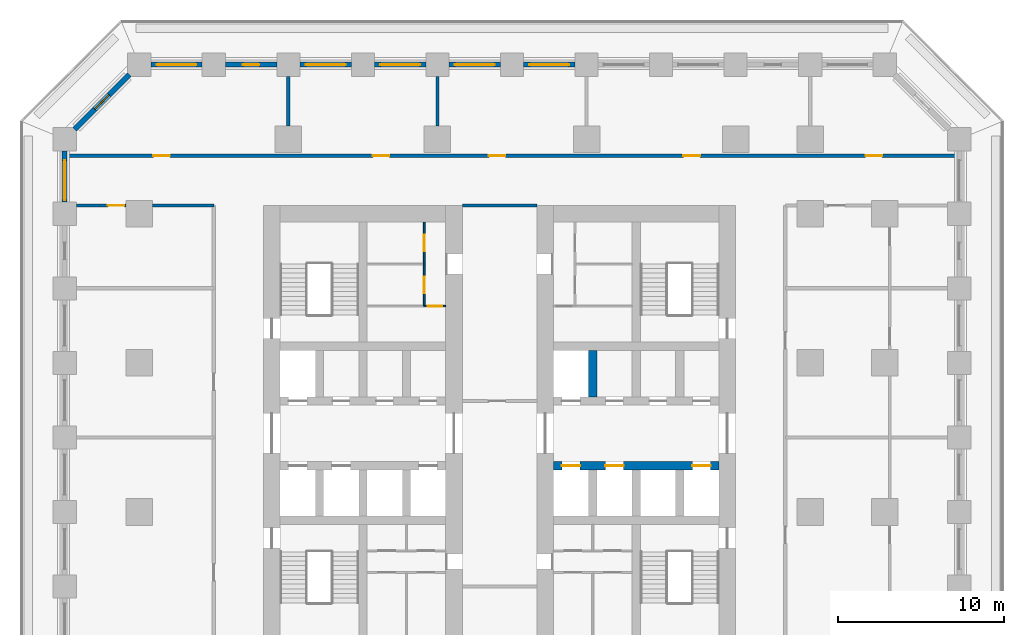
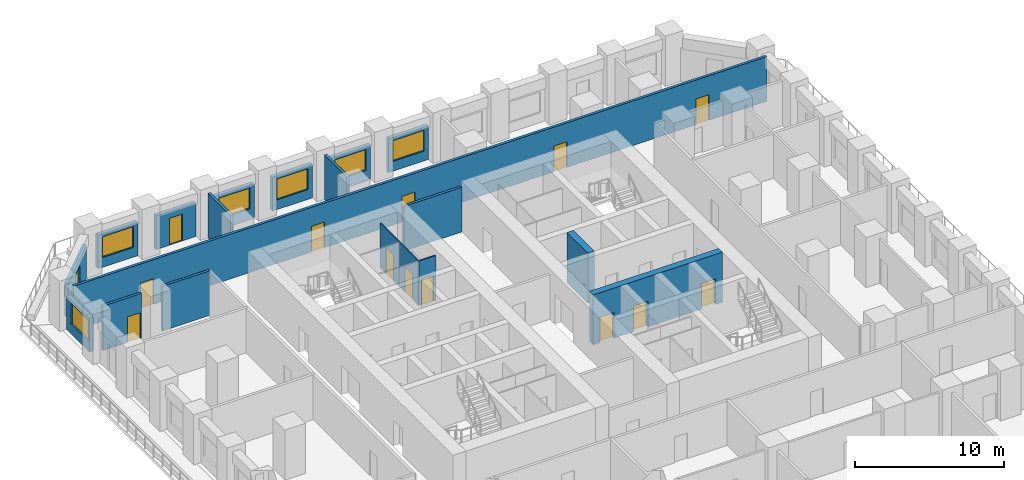
# One storey, part 6 of 11: 19 walls, 14 doors, 6 windows, 20 openings.
"""IFC4 building model written with IfcOpenShell, lengths in metres."""

from ifc_helpers import new_model, si_unit, direction, frame, frame_2d, origin, place, context, subcontext, project, spatial, rectangle, extrude, material, layer, layer_set, type_object, element, fill, save


model = new_model("IFC4")

# Units and contexts
model_context = context("Model", 3, precision=1e-05, world=origin(), true_north=direction((0.0, 1.0)))
body_context = subcontext(model_context, "Body", "Model", "MODEL_VIEW")
ifc_project = project(units=[si_unit("LENGTHUNIT", "METRE"), si_unit("AREAUNIT", "SQUARE_METRE"), si_unit("VOLUMEUNIT", "CUBIC_METRE"), si_unit("PLANEANGLEUNIT", "RADIAN"), si_unit("MASSUNIT", "GRAM", prefix="KILO")], contexts=[model_context])

# Site, building, storey
site_placement = place(None, origin())
site = spatial("IfcSite", under=ifc_project, at=site_placement, CompositionType="ELEMENT")
building_placement = place(site_placement, origin())
building = spatial("IfcBuilding", under=site, at=building_placement, Name="Corbel Stack Research Tower", CompositionType="ELEMENT")
storey_placement = place(building_placement, frame((0.0, 0.0, 62.39990234375)))
storey = spatial("IfcBuildingStorey", under=building, at=storey_placement, Name="L14", CompositionType="ELEMENT", Elevation=62.39990234375)

# Wall, openings, doors
ifc_material_1 = material(Name="Concrete C70/85", Category="concrete")
ifc_layer_1 = layer(ifc_material_1, 0.5)
ifc_layer_set_1 = layer_set([ifc_layer_1], Name="Concrete C70/85")
wall_type_1 = type_object("IfcWallType", Name="CW-500-70", PredefinedType="SHEAR", material=ifc_layer_set_1)
wall_1_placement = place(storey_placement, frame((7.0, 2.800048828125, 0.0), z_axis=(0.0, 0.0, 1.0), x_axis=(1.0, 0.0, 0.0)))
wall_1 = element("IfcWall", 1, at=wall_1_placement, inside=storey, type_object=wall_type_1, Name="East core wall, lobby south L14", PredefinedType="SHEAR", context=body_context, shape_type="SweptSolid", body=[
    extrude(rectangle(XDim=10.0, YDim=0.5, at=frame_2d((5.0, 0.0))), origin(), (0.0, 0.0, 1.0), 4.10009765625),
])
opening_1_placement = place(wall_1_placement, frame((0.512451171875, 0.0, 0.0)))
opening_1 = element("IfcOpeningElement", 2, at=opening_1_placement, cuts=wall_1, Name="Opening LD-FS2", PredefinedType="OPENING", context=body_context, shape_type="SweptSolid", body=[
    extrude(rectangle(XDim=1.10009765625, YDim=2.10009765625, at=frame_2d((0.550048828125, 1.050048828125))), frame((0.0, 0.260009765625, 0.0), z_axis=(0.0, -1.0, 0.0), x_axis=(1.0, 0.0, 0.0)), (0.0, 0.0, 1.0), 0.52001953125),
])
opening_2_placement = place(wall_1_placement, frame((3.137451171875, 0.0, 0.0)))
opening_2 = element("IfcOpeningElement", 3, at=opening_2_placement, cuts=wall_1, Name="Opening LD-GL2", PredefinedType="OPENING", context=body_context, shape_type="SweptSolid", body=[
    extrude(rectangle(XDim=1.10009765625, YDim=2.10009765625, at=frame_2d((0.550048828125, 1.050048828125))), frame((0.0, 0.260009765625, 0.0), z_axis=(0.0, -1.0, 0.0), x_axis=(1.0, 0.0, 0.0)), (0.0, 0.0, 1.0), 0.52001953125),
])
opening_3_placement = place(wall_1_placement, frame((8.387451171875, 0.0, 0.0)))
opening_3 = element("IfcOpeningElement", 4, at=opening_3_placement, cuts=wall_1, Name="Opening LD-LR3", PredefinedType="OPENING", context=body_context, shape_type="SweptSolid", body=[
    extrude(rectangle(XDim=1.10009765625, YDim=2.10009765625, at=frame_2d((0.550048828125, 1.050048828125))), frame((0.0, 0.260009765625, 0.0), z_axis=(0.0, -1.0, 0.0), x_axis=(1.0, 0.0, 0.0)), (0.0, 0.0, 1.0), 0.52001953125),
])
ifc_material_2 = material(Name="Stainless steel landing door", Category="steel")
door_type_1 = type_object("IfcDoorType", Name="Lift landing door 1100 x 2100", OperationType="DOUBLE_DOOR_SLIDING", PredefinedType="DOOR", material=ifc_material_2)
door_1_placement = place(opening_1_placement, origin())
door_1 = element("IfcDoor", 5, at=door_1_placement, inside=storey, type_object=door_type_1, Name="Landing door FS2", OperationType="DOUBLE_DOOR_SLIDING", OverallHeight=2.10009765625, OverallWidth=1.10009765625, PredefinedType="DOOR", context=body_context, shape_type="SweptSolid", body=[
    extrude(rectangle(XDim=1.10009765625, YDim=2.10009765625, at=frame_2d((0.550048828125, 1.050048828125))), frame((0.0, 0.02490234375, 0.0), z_axis=(0.0, -1.0, 0.0), x_axis=(1.0, 0.0, 0.0)), (0.0, 0.0, 1.0), 0.050048828125),
])
fill(opening_1, door_1)
door_2_placement = place(opening_2_placement, origin())
door_2 = element("IfcDoor", 6, at=door_2_placement, inside=storey, type_object=door_type_1, Name="Landing door GL2", OperationType="DOUBLE_DOOR_SLIDING", OverallHeight=2.10009765625, OverallWidth=1.10009765625, PredefinedType="DOOR", context=body_context, shape_type="SweptSolid", body=[
    extrude(rectangle(XDim=1.10009765625, YDim=2.10009765625, at=frame_2d((0.550048828125, 1.050048828125))), frame((0.0, 0.02490234375, 0.0), z_axis=(0.0, -1.0, 0.0), x_axis=(1.0, 0.0, 0.0)), (0.0, 0.0, 1.0), 0.050048828125),
])
fill(opening_2, door_2)
door_3_placement = place(opening_3_placement, origin())
door_3 = element("IfcDoor", 7, at=door_3_placement, inside=storey, type_object=door_type_1, Name="Landing door LR3", OperationType="DOUBLE_DOOR_SLIDING", OverallHeight=2.10009765625, OverallWidth=1.10009765625, PredefinedType="DOOR", context=body_context, shape_type="SweptSolid", body=[
    extrude(rectangle(XDim=1.10009765625, YDim=2.10009765625, at=frame_2d((0.550048828125, 1.050048828125))), frame((0.0, 0.02490234375, 0.0), z_axis=(0.0, -1.0, 0.0), x_axis=(1.0, 0.0, 0.0)), (0.0, 0.0, 1.0), 0.050048828125),
])
fill(opening_3, door_3)

# Wall
wall_2_placement = place(storey_placement, frame((9.375, 6.949951171875, 0.0), z_axis=(0.0, 0.0, 1.0), x_axis=(0.0, 1.0, 0.0)))
element("IfcWall", 8, at=wall_2_placement, inside=storey, type_object=wall_type_1, Name="East core wall, north shaft 1 L14", PredefinedType="SHEAR", context=body_context, shape_type="SweptSolid", body=[
    extrude(rectangle(XDim=2.800048828125, YDim=0.5, at=frame_2d((1.39990234375, 0.0))), origin(), (0.0, 0.0, 1.0), 4.10009765625),
])

# Wall, opening, door
ifc_material_3 = material(Name="Gypsum board")
ifc_layer_2 = layer(ifc_material_3, 0.10009765625)
ifc_layer_set_2 = layer_set([ifc_layer_2], Name="Gypsum board")
wall_type_2 = type_object("IfcWallType", Name="Core partition 100", PredefinedType="PARTITIONING", material=ifc_layer_set_2)
wall_3_placement = place(storey_placement, frame((-0.800048828125, 12.425048828125, 0.0), z_axis=(0.0, 0.0, 1.0), x_axis=(1.0, 0.0, 0.0)))
wall_3 = element("IfcWall", 9, at=wall_3_placement, inside=storey, type_object=wall_type_2, Name="Core partition W", PredefinedType="PARTITIONING", context=body_context, shape_type="SweptSolid", body=[
    extrude(rectangle(XDim=1.300048828125, YDim=0.10009765625, at=frame_2d((0.64990234375, 0.0))), origin(), (0.0, 0.0, 1.0), 3.650146484375),
])
opening_4_placement = place(wall_3_placement, frame((0.199951171875, 0.0, 0.0)))
opening_4 = element("IfcOpeningElement", 10, at=opening_4_placement, cuts=wall_3, Name="Opening CR-W54-R1-900", PredefinedType="OPENING", context=body_context, shape_type="SweptSolid", body=[
    extrude(rectangle(XDim=0.89990234375, YDim=2.10009765625, at=frame_2d((0.449951171875, 1.050048828125))), frame((0.0, 0.06005859375, 0.0), z_axis=(0.0, -1.0, 0.0), x_axis=(1.0, 0.0, 0.0)), (0.0, 0.0, 1.0), 0.1201171875),
])
ifc_material_4 = material(Name="Painted steel door", Category="steel")
door_type_2 = type_object("IfcDoorType", Name="Riser door 900 x 2100 FD60 left hand", OperationType="SINGLE_SWING_LEFT", PredefinedType="DOOR", material=ifc_material_4)
door_4_placement = place(opening_4_placement, origin())
door_4 = element("IfcDoor", 11, at=door_4_placement, inside=storey, type_object=door_type_2, Name="Electrical riser door W core", OperationType="SINGLE_SWING_LEFT", OverallHeight=2.10009765625, OverallWidth=0.89990234375, PredefinedType="DOOR", context=body_context, shape_type="SweptSolid", body=[
    extrude(rectangle(XDim=0.89990234375, YDim=2.10009765625, at=frame_2d((0.449951171875, 1.050048828125))), frame((0.0, 0.02490234375, 0.0), z_axis=(0.0, -1.0, 0.0), x_axis=(1.0, 0.0, 0.0)), (0.0, 0.0, 1.0), 0.050048828125),
])
fill(opening_4, door_4)

wall_4_placement = place(storey_placement, frame((-0.800048828125, 12.425048828125, 0.0), z_axis=(0.0, 0.0, 1.0), x_axis=(0.0, 1.0, 0.0)))
wall_4 = element("IfcWall", 12, at=wall_4_placement, inside=storey, type_object=wall_type_2, Name="Core partition W", PredefinedType="PARTITIONING", context=body_context, shape_type="SweptSolid", body=[
    extrude(rectangle(XDim=2.537353515625, YDim=0.10009765625, at=frame_2d((1.2685546875, 0.0))), origin(), (0.0, 0.0, 1.0), 3.650146484375),
])
opening_5_placement = place(wall_4_placement, frame((0.768798828125, 0.0, 0.0)))
opening_5 = element("IfcOpeningElement", 13, at=opening_5_placement, cuts=wall_4, Name="Opening CR-W54-R3-1000", PredefinedType="OPENING", context=body_context, shape_type="SweptSolid", body=[
    extrude(rectangle(XDim=1.0, YDim=2.10009765625, at=frame_2d((0.5, 1.050048828125))), frame((0.0, 0.06005859375, 0.0), z_axis=(0.0, -1.0, 0.0), x_axis=(1.0, 0.0, 0.0)), (0.0, 0.0, 1.0), 0.1201171875),
])
ifc_material_5 = material(Name="Painted steel door", Category="steel")
door_type_3 = type_object("IfcDoorType", Name="Service door 1000 x 2100 FD30 left hand", OperationType="SINGLE_SWING_LEFT", PredefinedType="DOOR", material=ifc_material_5)
door_5_placement = place(opening_5_placement, origin())
door_5 = element("IfcDoor", 14, at=door_5_placement, inside=storey, type_object=door_type_3, Name="Pantry door W core", OperationType="SINGLE_SWING_LEFT", OverallHeight=2.10009765625, OverallWidth=1.0, PredefinedType="DOOR", context=body_context, shape_type="SweptSolid", body=[
    extrude(rectangle(XDim=1.0, YDim=2.10009765625, at=frame_2d((0.5, 1.050048828125))), frame((0.0, 0.02490234375, 0.0), z_axis=(0.0, -1.0, 0.0), x_axis=(1.0, 0.0, 0.0)), (0.0, 0.0, 1.0), 0.050048828125),
])
fill(opening_5, door_5)

wall_5_placement = place(storey_placement, frame((-0.800048828125, 14.96240234375, 0.0), z_axis=(0.0, 0.0, 1.0), x_axis=(0.0, 1.0, 0.0)))
wall_5 = element("IfcWall", 15, at=wall_5_placement, inside=storey, type_object=wall_type_2, Name="Core partition W", PredefinedType="PARTITIONING", context=body_context, shape_type="SweptSolid", body=[
    extrude(rectangle(XDim=2.53759765625, YDim=0.10009765625, at=frame_2d((1.268798828125, 0.0))), origin(), (0.0, 0.0, 1.0), 3.650146484375),
])
opening_6_placement = place(wall_5_placement, frame((0.768798828125, 0.0, 0.0)))
opening_6 = element("IfcOpeningElement", 16, at=opening_6_placement, cuts=wall_5, Name="Opening CR-W54-R4-1000", PredefinedType="OPENING", context=body_context, shape_type="SweptSolid", body=[
    extrude(rectangle(XDim=1.0, YDim=2.10009765625, at=frame_2d((0.5, 1.050048828125))), frame((0.0, 0.06005859375, 0.0), z_axis=(0.0, -1.0, 0.0), x_axis=(1.0, 0.0, 0.0)), (0.0, 0.0, 1.0), 0.1201171875),
])
ifc_material_6 = material(Name="Painted steel door", Category="steel")
door_type_4 = type_object("IfcDoorType", Name="Service door 1000 x 2100 FD30 right hand", OperationType="SINGLE_SWING_RIGHT", PredefinedType="DOOR", material=ifc_material_6)
door_6_placement = place(opening_6_placement, origin())
door_6 = element("IfcDoor", 17, at=door_6_placement, inside=storey, type_object=door_type_4, Name="Copy and supply store door W core", OperationType="SINGLE_SWING_RIGHT", OverallHeight=2.10009765625, OverallWidth=1.0, PredefinedType="DOOR", context=body_context, shape_type="SweptSolid", body=[
    extrude(rectangle(XDim=1.0, YDim=2.10009765625, at=frame_2d((0.5, 1.050048828125))), frame((0.0, 0.02490234375, 0.0), z_axis=(0.0, -1.0, 0.0), x_axis=(1.0, 0.0, 0.0)), (0.0, 0.0, 1.0), 0.050048828125),
])
fill(opening_6, door_6)

# Walls
ifc_material_7 = material(Name="Fire-rated gypsum board partition on steel studs", Category="steel")
ifc_layer_3 = layer(ifc_material_7, 0.199951171875)
ifc_layer_set_3 = layer_set([ifc_layer_3], Name="Fire-rated gypsum board partition on steel studs")
wall_type_3 = type_object("IfcWallType", Name="Fire-rated partition 200 EI 60", PredefinedType="PARTITIONING", material=ifc_layer_set_3)
for number, where, z_axis, x_axis, name in (
    (18, (-9.0, 23.300048828125, 0.0), (0.0, 0.0, 1.0), (0.0, 1.0, 0.0), "Partition L14-004"),
    (19, (0.0, 23.300048828125, 0.0), (0.0, 0.0, 1.0), (0.0, 1.0, 0.0), "Partition L14-007"),
):
    element("IfcWall", number, at=place(storey_placement, frame(where, z_axis=z_axis, x_axis=x_axis)), inside=storey, type_object=wall_type_3, Name=name, PredefinedType="PARTITIONING", context=body_context, shape_type="SweptSolid", body=[
        extrude(rectangle(XDim=3.0, YDim=0.199951171875, at=frame_2d((1.5, 0.0))), origin(), (0.0, 0.0, 1.0), 3.650146484375),
    ])

# Wall, opening, door
wall_6_placement = place(storey_placement, frame((-18.800048828125, 18.5, 0.0), z_axis=(0.0, 0.0, 1.0), x_axis=(-1.0, 0.0, 0.0)))
wall_6 = element("IfcWall", 20, at=wall_6_placement, inside=storey, type_object=wall_type_3, Name="Partition L14-039", PredefinedType="PARTITIONING", context=body_context, shape_type="SweptSolid", body=[
    extrude(rectangle(XDim=3.0, YDim=0.199951171875, at=frame_2d((1.5, 0.0))), origin(), (0.0, 0.0, 1.0), 3.650146484375),
])
opening_7_placement = place(wall_6_placement, frame((0.10009765625, 0.0, 0.0)))
opening_7 = element("IfcOpeningElement", 21, at=opening_7_placement, cuts=wall_6, Name="Opening B2V2-015", PredefinedType="OPENING", context=body_context, shape_type="SweptSolid", body=[
    extrude(rectangle(XDim=1.0, YDim=2.10009765625, at=frame_2d((0.5, 1.050048828125))), frame((0.0, 0.10986328125, 0.0), z_axis=(0.0, -1.0, 0.0), x_axis=(1.0, 0.0, 0.0)), (0.0, 0.0, 1.0), 0.219970703125),
])
ifc_material_8 = material(Name="Painted steel fire door", Category="steel")
door_type_5 = type_object("IfcDoorType", Name="Fire door FD30S 1000 x 2100", OperationType="NOTDEFINED", PredefinedType="DOOR", material=ifc_material_8)
door_7_placement = place(opening_7_placement, origin())
door_7 = element("IfcDoor", 22, at=door_7_placement, inside=storey, type_object=door_type_5, Name="Door B2V2-015", OperationType="SINGLE_SWING_LEFT", OverallHeight=2.10009765625, OverallWidth=1.0, PredefinedType="DOOR", context=body_context, shape_type="SweptSolid", body=[
    extrude(rectangle(XDim=1.0, YDim=2.10009765625, at=frame_2d((0.5, 1.050048828125))), frame((0.0, 0.02490234375, 0.0), z_axis=(0.0, -1.0, 0.0), x_axis=(1.0, 0.0, 0.0)), (0.0, 0.0, 1.0), 0.050048828125),
])
fill(opening_7, door_7)

# Walls
wall_7_placement = place(storey_placement, frame((-17.199951171875, 18.5, 0.0), z_axis=(0.0, 0.0, 1.0), x_axis=(1.0, 0.0, 0.0)))
element("IfcWall", 23, at=wall_7_placement, inside=storey, type_object=wall_type_3, Name="Partition L14-040", PredefinedType="PARTITIONING", context=body_context, shape_type="SweptSolid", body=[
    extrude(rectangle(XDim=3.699951171875, YDim=0.199951171875, at=frame_2d((1.85009765625, 0.0))), origin(), (0.0, 0.0, 1.0), 3.650146484375),
])
wall_8_placement = place(storey_placement, frame((1.5, 18.5, 0.0), z_axis=(0.0, 0.0, 1.0), x_axis=(1.0, 0.0, 0.0)))
element("IfcWall", 24, at=wall_8_placement, inside=storey, type_object=wall_type_3, Name="Partition L14-041", PredefinedType="PARTITIONING", context=body_context, shape_type="SweptSolid", body=[
    extrude(rectangle(XDim=4.5, YDim=0.199951171875, at=frame_2d((2.25, 0.0))), origin(), (0.0, 0.0, 1.0), 3.650146484375),
])

# Wall, openings, doors
wall_9_placement = place(storey_placement, frame((-22.35009765625, 21.5, 0.0), z_axis=(0.0, 0.0, 1.0), x_axis=(1.0, 0.0, 0.0)))
wall_9 = element("IfcWall", 25, at=wall_9_placement, inside=storey, type_object=wall_type_3, Name="Partition L14-045", PredefinedType="PARTITIONING", context=body_context, shape_type="SweptSolid", body=[
    extrude(rectangle(XDim=53.7001953125, YDim=0.199951171875, at=frame_2d((26.85009765625, 0.0))), origin(), (0.0, 0.0, 1.0), 3.650146484375),
])
opening_8_placement = place(wall_9_placement, frame((5.199951171875, 0.0, 0.0)))
opening_8 = element("IfcOpeningElement", 26, at=opening_8_placement, cuts=wall_9, Name="Opening B2V2-019", PredefinedType="OPENING", context=body_context, shape_type="SweptSolid", body=[
    extrude(rectangle(XDim=1.0, YDim=2.10009765625, at=frame_2d((0.5, 1.050048828125))), frame((0.0, 0.10986328125, 0.0), z_axis=(0.0, -1.0, 0.0), x_axis=(1.0, 0.0, 0.0)), (0.0, 0.0, 1.0), 0.219970703125),
])
opening_9_placement = place(wall_9_placement, frame((18.449951171875, 0.0, 0.0)))
opening_9 = element("IfcOpeningElement", 27, at=opening_9_placement, cuts=wall_9, Name="Opening B2V2-020", PredefinedType="OPENING", context=body_context, shape_type="SweptSolid", body=[
    extrude(rectangle(XDim=1.0, YDim=2.10009765625, at=frame_2d((0.5, 1.050048828125))), frame((0.0, 0.10986328125, 0.0), z_axis=(0.0, -1.0, 0.0), x_axis=(1.0, 0.0, 0.0)), (0.0, 0.0, 1.0), 0.219970703125),
])
opening_10_placement = place(wall_9_placement, frame((25.449951171875, 0.0, 0.0)))
opening_10 = element("IfcOpeningElement", 28, at=opening_10_placement, cuts=wall_9, Name="Opening B2V2-021", PredefinedType="OPENING", context=body_context, shape_type="SweptSolid", body=[
    extrude(rectangle(XDim=1.0, YDim=2.10009765625, at=frame_2d((0.5, 1.050048828125))), frame((0.0, 0.10986328125, 0.0), z_axis=(0.0, -1.0, 0.0), x_axis=(1.0, 0.0, 0.0)), (0.0, 0.0, 1.0), 0.219970703125),
])
opening_11_placement = place(wall_9_placement, frame((37.199951171875, 0.0, 0.0)))
opening_11 = element("IfcOpeningElement", 29, at=opening_11_placement, cuts=wall_9, Name="Opening B2V2-022", PredefinedType="OPENING", context=body_context, shape_type="SweptSolid", body=[
    extrude(rectangle(XDim=1.0, YDim=2.10009765625, at=frame_2d((0.5, 1.050048828125))), frame((0.0, 0.10986328125, 0.0), z_axis=(0.0, -1.0, 0.0), x_axis=(1.0, 0.0, 0.0)), (0.0, 0.0, 1.0), 0.219970703125),
])
opening_12_placement = place(wall_9_placement, frame((48.199951171875, 0.0, 0.0)))
opening_12 = element("IfcOpeningElement", 30, at=opening_12_placement, cuts=wall_9, Name="Opening B2V2-023", PredefinedType="OPENING", context=body_context, shape_type="SweptSolid", body=[
    extrude(rectangle(XDim=1.0, YDim=2.10009765625, at=frame_2d((0.5, 1.050048828125))), frame((0.0, 0.10986328125, 0.0), z_axis=(0.0, -1.0, 0.0), x_axis=(1.0, 0.0, 0.0)), (0.0, 0.0, 1.0), 0.219970703125),
])
door_8_placement = place(opening_8_placement, origin())
door_8 = element("IfcDoor", 31, at=door_8_placement, inside=storey, type_object=door_type_5, Name="Door B2V2-019", OperationType="SINGLE_SWING_LEFT", OverallHeight=2.10009765625, OverallWidth=1.0, PredefinedType="DOOR", context=body_context, shape_type="SweptSolid", body=[
    extrude(rectangle(XDim=1.0, YDim=2.10009765625, at=frame_2d((0.5, 1.050048828125))), frame((0.0, 0.02490234375, 0.0), z_axis=(0.0, -1.0, 0.0), x_axis=(1.0, 0.0, 0.0)), (0.0, 0.0, 1.0), 0.050048828125),
])
fill(opening_8, door_8)
door_9_placement = place(opening_9_placement, origin())
door_9 = element("IfcDoor", 32, at=door_9_placement, inside=storey, type_object=door_type_5, Name="Door B2V2-020", OperationType="SINGLE_SWING_LEFT", OverallHeight=2.10009765625, OverallWidth=1.0, PredefinedType="DOOR", context=body_context, shape_type="SweptSolid", body=[
    extrude(rectangle(XDim=1.0, YDim=2.10009765625, at=frame_2d((0.5, 1.050048828125))), frame((0.0, 0.02490234375, 0.0), z_axis=(0.0, -1.0, 0.0), x_axis=(1.0, 0.0, 0.0)), (0.0, 0.0, 1.0), 0.050048828125),
])
fill(opening_9, door_9)
door_10_placement = place(opening_10_placement, origin())
door_10 = element("IfcDoor", 33, at=door_10_placement, inside=storey, type_object=door_type_5, Name="Door B2V2-021", OperationType="SINGLE_SWING_LEFT", OverallHeight=2.10009765625, OverallWidth=1.0, PredefinedType="DOOR", context=body_context, shape_type="SweptSolid", body=[
    extrude(rectangle(XDim=1.0, YDim=2.10009765625, at=frame_2d((0.5, 1.050048828125))), frame((0.0, 0.02490234375, 0.0), z_axis=(0.0, -1.0, 0.0), x_axis=(1.0, 0.0, 0.0)), (0.0, 0.0, 1.0), 0.050048828125),
])
fill(opening_10, door_10)
door_11_placement = place(opening_11_placement, origin())
door_11 = element("IfcDoor", 34, at=door_11_placement, inside=storey, type_object=door_type_5, Name="Door B2V2-022", OperationType="SINGLE_SWING_RIGHT", OverallHeight=2.10009765625, OverallWidth=1.0, PredefinedType="DOOR", context=body_context, shape_type="SweptSolid", body=[
    extrude(rectangle(XDim=1.0, YDim=2.10009765625, at=frame_2d((0.5, 1.050048828125))), frame((0.0, 0.02490234375, 0.0), z_axis=(0.0, -1.0, 0.0), x_axis=(1.0, 0.0, 0.0)), (0.0, 0.0, 1.0), 0.050048828125),
])
fill(opening_11, door_11)
door_12_placement = place(opening_12_placement, origin())
door_12 = element("IfcDoor", 35, at=door_12_placement, inside=storey, type_object=door_type_5, Name="Door B2V2-023", OperationType="SINGLE_SWING_RIGHT", OverallHeight=2.10009765625, OverallWidth=1.0, PredefinedType="DOOR", context=body_context, shape_type="SweptSolid", body=[
    extrude(rectangle(XDim=1.0, YDim=2.10009765625, at=frame_2d((0.5, 1.050048828125))), frame((0.0, 0.02490234375, 0.0), z_axis=(0.0, -1.0, 0.0), x_axis=(1.0, 0.0, 0.0)), (0.0, 0.0, 1.0), 0.050048828125),
])
fill(opening_12, door_12)

# Wall, opening, window
ifc_material_9 = material(Name="Concrete C45/55", Category="concrete")
ifc_layer_4 = layer(ifc_material_9, 0.300048828125)
ifc_layer_set_4 = layer_set([ifc_layer_4], Name="Concrete C45/55")
wall_type_4 = type_object("IfcWallType", Name="Terracotta-faced concrete wall 300", PredefinedType="SOLIDWALL", material=ifc_layer_set_4)
wall_10_placement = place(storey_placement, frame((5.199951171875, 27.0, 0.0), z_axis=(0.0, 0.0, 1.0), x_axis=(1.0, 0.0, 0.0)))
wall_10 = element("IfcWall", 36, at=wall_10_placement, inside=storey, type_object=wall_type_4, Name="Facade wall L14 N05", PredefinedType="SOLIDWALL", context=body_context, shape_type="SweptSolid", body=[
    extrude(rectangle(XDim=3.10009765625, YDim=0.300048828125, at=frame_2d((1.550048828125, 0.0))), origin(), (0.0, 0.0, 1.0), 2.75),
])
opening_13_placement = place(wall_10_placement, frame((0.35009765625, 0.0, 0.800048828125)))
opening_13 = element("IfcOpeningElement", 37, at=opening_13_placement, cuts=wall_10, Name="Opening W1", PredefinedType="OPENING", context=body_context, shape_type="SweptSolid", body=[
    extrude(rectangle(XDim=2.39990234375, YDim=1.699951171875, at=frame_2d((1.199951171875, 0.85009765625))), frame((0.0, 0.159912109375, 0.0), z_axis=(0.0, -1.0, 0.0), x_axis=(1.0, 0.0, 0.0)), (0.0, 0.0, 1.0), 0.320068359375),
])
ifc_material_10 = material(Name="Aluminium frame, clear double glazing", Category="aluminium")
window_type = type_object("IfcWindowType", Name="Window W1 2400 x 1700", PartitioningType="SINGLE_PANEL", PredefinedType="WINDOW", material=ifc_material_10)
window_1_placement = place(opening_13_placement, origin())
window_1 = element("IfcWindow", 38, at=window_1_placement, inside=storey, type_object=window_type, Name="Window W1 L14 N05", OverallHeight=1.699951171875, OverallWidth=2.39990234375, PartitioningType="SINGLE_PANEL", PredefinedType="WINDOW", context=body_context, shape_type="SweptSolid", body=[
    extrude(rectangle(XDim=2.39990234375, YDim=1.699951171875, at=frame_2d((1.199951171875, 0.85009765625))), frame((0.0, 0.030029296875, 0.0), z_axis=(0.0, -1.0, 0.0), x_axis=(1.0, 0.0, 0.0)), (0.0, 0.0, 1.0), 0.06005859375),
])
fill(opening_13, window_1)

wall_11_placement = place(storey_placement, frame((0.699951171875, 27.0, 0.0), z_axis=(0.0, 0.0, 1.0), x_axis=(1.0, 0.0, 0.0)))
wall_11 = element("IfcWall", 39, at=wall_11_placement, inside=storey, type_object=wall_type_4, Name="Facade wall L14 N06", PredefinedType="SOLIDWALL", context=body_context, shape_type="SweptSolid", body=[
    extrude(rectangle(XDim=3.10009765625, YDim=0.300048828125, at=frame_2d((1.550048828125, 0.0))), origin(), (0.0, 0.0, 1.0), 2.75),
])
opening_14_placement = place(wall_11_placement, frame((0.35009765625, 0.0, 0.800048828125)))
opening_14 = element("IfcOpeningElement", 40, at=opening_14_placement, cuts=wall_11, Name="Opening W1", PredefinedType="OPENING", context=body_context, shape_type="SweptSolid", body=[
    extrude(rectangle(XDim=2.39990234375, YDim=1.699951171875, at=frame_2d((1.199951171875, 0.85009765625))), frame((0.0, 0.159912109375, 0.0), z_axis=(0.0, -1.0, 0.0), x_axis=(1.0, 0.0, 0.0)), (0.0, 0.0, 1.0), 0.320068359375),
])
window_2_placement = place(opening_14_placement, origin())
window_2 = element("IfcWindow", 41, at=window_2_placement, inside=storey, type_object=window_type, Name="Window W1 L14 N06", OverallHeight=1.699951171875, OverallWidth=2.39990234375, PartitioningType="SINGLE_PANEL", PredefinedType="WINDOW", context=body_context, shape_type="SweptSolid", body=[
    extrude(rectangle(XDim=2.39990234375, YDim=1.699951171875, at=frame_2d((1.199951171875, 0.85009765625))), frame((0.0, 0.030029296875, 0.0), z_axis=(0.0, -1.0, 0.0), x_axis=(1.0, 0.0, 0.0)), (0.0, 0.0, 1.0), 0.06005859375),
])
fill(opening_14, window_2)

wall_12_placement = place(storey_placement, frame((-3.800048828125, 27.0, 0.0), z_axis=(0.0, 0.0, 1.0), x_axis=(1.0, 0.0, 0.0)))
wall_12 = element("IfcWall", 42, at=wall_12_placement, inside=storey, type_object=wall_type_4, Name="Facade wall L14 N07", PredefinedType="SOLIDWALL", context=body_context, shape_type="SweptSolid", body=[
    extrude(rectangle(XDim=3.10009765625, YDim=0.300048828125, at=frame_2d((1.550048828125, 0.0))), origin(), (0.0, 0.0, 1.0), 2.75),
])
opening_15_placement = place(wall_12_placement, frame((0.35009765625, 0.0, 0.800048828125)))
opening_15 = element("IfcOpeningElement", 43, at=opening_15_placement, cuts=wall_12, Name="Opening W1", PredefinedType="OPENING", context=body_context, shape_type="SweptSolid", body=[
    extrude(rectangle(XDim=2.39990234375, YDim=1.699951171875, at=frame_2d((1.199951171875, 0.85009765625))), frame((0.0, 0.159912109375, 0.0), z_axis=(0.0, -1.0, 0.0), x_axis=(1.0, 0.0, 0.0)), (0.0, 0.0, 1.0), 0.320068359375),
])
window_3_placement = place(opening_15_placement, origin())
window_3 = element("IfcWindow", 44, at=window_3_placement, inside=storey, type_object=window_type, Name="Window W1 L14 N07", OverallHeight=1.699951171875, OverallWidth=2.39990234375, PartitioningType="SINGLE_PANEL", PredefinedType="WINDOW", context=body_context, shape_type="SweptSolid", body=[
    extrude(rectangle(XDim=2.39990234375, YDim=1.699951171875, at=frame_2d((1.199951171875, 0.85009765625))), frame((0.0, 0.030029296875, 0.0), z_axis=(0.0, -1.0, 0.0), x_axis=(1.0, 0.0, 0.0)), (0.0, 0.0, 1.0), 0.06005859375),
])
fill(opening_15, window_3)

wall_13_placement = place(storey_placement, frame((-8.300048828125, 27.0, 0.0), z_axis=(0.0, 0.0, 1.0), x_axis=(1.0, 0.0, 0.0)))
wall_13 = element("IfcWall", 45, at=wall_13_placement, inside=storey, type_object=wall_type_4, Name="Facade wall L14 N08", PredefinedType="SOLIDWALL", context=body_context, shape_type="SweptSolid", body=[
    extrude(rectangle(XDim=3.10009765625, YDim=0.300048828125, at=frame_2d((1.550048828125, 0.0))), origin(), (0.0, 0.0, 1.0), 2.75),
])
opening_16_placement = place(wall_13_placement, frame((0.35009765625, 0.0, 0.800048828125)))
opening_16 = element("IfcOpeningElement", 46, at=opening_16_placement, cuts=wall_13, Name="Opening W1", PredefinedType="OPENING", context=body_context, shape_type="SweptSolid", body=[
    extrude(rectangle(XDim=2.39990234375, YDim=1.699951171875, at=frame_2d((1.199951171875, 0.85009765625))), frame((0.0, 0.159912109375, 0.0), z_axis=(0.0, -1.0, 0.0), x_axis=(1.0, 0.0, 0.0)), (0.0, 0.0, 1.0), 0.320068359375),
])
window_4_placement = place(opening_16_placement, origin())
window_4 = element("IfcWindow", 47, at=window_4_placement, inside=storey, type_object=window_type, Name="Window W1 L14 N08", OverallHeight=1.699951171875, OverallWidth=2.39990234375, PartitioningType="SINGLE_PANEL", PredefinedType="WINDOW", context=body_context, shape_type="SweptSolid", body=[
    extrude(rectangle(XDim=2.39990234375, YDim=1.699951171875, at=frame_2d((1.199951171875, 0.85009765625))), frame((0.0, 0.030029296875, 0.0), z_axis=(0.0, -1.0, 0.0), x_axis=(1.0, 0.0, 0.0)), (0.0, 0.0, 1.0), 0.06005859375),
])
fill(opening_16, window_4)

# Wall, opening, door
wall_14_placement = place(storey_placement, frame((-12.800048828125, 27.0, 0.0), z_axis=(0.0, 0.0, 1.0), x_axis=(1.0, 0.0, 0.0)))
wall_14 = element("IfcWall", 48, at=wall_14_placement, inside=storey, type_object=wall_type_4, Name="Facade wall L14 N09", PredefinedType="SOLIDWALL", context=body_context, shape_type="SweptSolid", body=[
    extrude(rectangle(XDim=3.10009765625, YDim=0.300048828125, at=frame_2d((1.550048828125, 0.0))), origin(), (0.0, 0.0, 1.0), 2.75),
])
opening_17_placement = place(wall_14_placement, frame((1.050048828125, 0.0, 0.0)))
opening_17 = element("IfcOpeningElement", 49, at=opening_17_placement, cuts=wall_14, Name="Opening L14-B08", PredefinedType="OPENING", context=body_context, shape_type="SweptSolid", body=[
    extrude(rectangle(XDim=1.0, YDim=2.199951171875, at=frame_2d((0.5, 1.10009765625))), frame((0.0, 0.159912109375, 0.0), z_axis=(0.0, -1.0, 0.0), x_axis=(1.0, 0.0, 0.0)), (0.0, 0.0, 1.0), 0.320068359375),
])
ifc_material_11 = material(Name="Aluminium frame, clear double glazing", Category="aluminium")
door_type_6 = type_object("IfcDoorType", Name="Balcony door BD1 1000 x 2200", OperationType="NOTDEFINED", PredefinedType="DOOR", material=ifc_material_11)
door_13_placement = place(opening_17_placement, origin())
door_13 = element("IfcDoor", 50, at=door_13_placement, inside=storey, type_object=door_type_6, Name="Balcony door L14-B08", OperationType="SINGLE_SWING_LEFT", OverallHeight=2.199951171875, OverallWidth=1.0, PredefinedType="DOOR", context=body_context, shape_type="SweptSolid", body=[
    extrude(rectangle(XDim=1.0, YDim=2.199951171875, at=frame_2d((0.5, 1.10009765625))), frame((0.0, 0.02490234375, 0.0), z_axis=(0.0, -1.0, 0.0), x_axis=(1.0, 0.0, 0.0)), (0.0, 0.0, 1.0), 0.050048828125),
])
fill(opening_17, door_13)

# Wall, opening, window
wall_15_placement = place(storey_placement, frame((-17.300048828125, 27.0, 0.0), z_axis=(0.0, 0.0, 1.0), x_axis=(1.0, 0.0, 0.0)))
wall_15 = element("IfcWall", 51, at=wall_15_placement, inside=storey, type_object=wall_type_4, Name="Facade wall L14 N10", PredefinedType="SOLIDWALL", context=body_context, shape_type="SweptSolid", body=[
    extrude(rectangle(XDim=3.10009765625, YDim=0.300048828125, at=frame_2d((1.550048828125, 0.0))), origin(), (0.0, 0.0, 1.0), 2.75),
])
opening_18_placement = place(wall_15_placement, frame((0.35009765625, 0.0, 0.800048828125)))
opening_18 = element("IfcOpeningElement", 52, at=opening_18_placement, cuts=wall_15, Name="Opening W1", PredefinedType="OPENING", context=body_context, shape_type="SweptSolid", body=[
    extrude(rectangle(XDim=2.39990234375, YDim=1.699951171875, at=frame_2d((1.199951171875, 0.85009765625))), frame((0.0, 0.159912109375, 0.0), z_axis=(0.0, -1.0, 0.0), x_axis=(1.0, 0.0, 0.0)), (0.0, 0.0, 1.0), 0.320068359375),
])
window_5_placement = place(opening_18_placement, origin())
window_5 = element("IfcWindow", 53, at=window_5_placement, inside=storey, type_object=window_type, Name="Window W1 L14 N10", OverallHeight=1.699951171875, OverallWidth=2.39990234375, PartitioningType="SINGLE_PANEL", PredefinedType="WINDOW", context=body_context, shape_type="SweptSolid", body=[
    extrude(rectangle(XDim=2.39990234375, YDim=1.699951171875, at=frame_2d((1.199951171875, 0.85009765625))), frame((0.0, 0.030029296875, 0.0), z_axis=(0.0, -1.0, 0.0), x_axis=(1.0, 0.0, 0.0)), (0.0, 0.0, 1.0), 0.06005859375),
])
fill(opening_18, window_5)

# Wall, opening, door
wall_16_placement = place(storey_placement, frame((-21.906005859375, 23.093994140625, 0.0), z_axis=(0.0, 0.0, 1.0), x_axis=(0.707106781187, 0.707106781187, 0.0)))
wall_16 = element("IfcWall", 54, at=wall_16_placement, inside=storey, type_object=wall_type_4, Name="Facade wall L14 NW01", PredefinedType="SOLIDWALL", context=body_context, shape_type="SweptSolid", body=[
    extrude(rectangle(XDim=4.683837890625, YDim=0.300048828125, at=frame_2d((2.341796875, 0.0))), origin(), (0.0, 0.0, 1.0), 2.75),
])
opening_19_placement = place(wall_16_placement, frame((1.741943359375, 0.0, 0.0)))
opening_19 = element("IfcOpeningElement", 55, at=opening_19_placement, cuts=wall_16, Name="Opening L14-B09", PredefinedType="OPENING", context=body_context, shape_type="SweptSolid", body=[
    extrude(rectangle(XDim=1.199951171875, YDim=2.199951171875, at=frame_2d((0.60009765625, 1.10009765625))), frame((0.0, 0.159912109375, 0.0), z_axis=(0.0, -1.0, 0.0), x_axis=(1.0, 0.0, 0.0)), (0.0, 0.0, 1.0), 0.320068359375),
])
ifc_material_12 = material(Name="Aluminium frame, clear double glazing", Category="aluminium")
door_type_7 = type_object("IfcDoorType", Name="Balcony door BD2 1200 x 2200", OperationType="NOTDEFINED", PredefinedType="DOOR", material=ifc_material_12)
door_14_placement = place(opening_19_placement, origin())
door_14 = element("IfcDoor", 56, at=door_14_placement, inside=storey, type_object=door_type_7, Name="Balcony door L14-B09", OperationType="SINGLE_SWING_LEFT", OverallHeight=2.199951171875, OverallWidth=1.199951171875, PredefinedType="DOOR", context=body_context, shape_type="SweptSolid", body=[
    extrude(rectangle(XDim=1.199951171875, YDim=2.199951171875, at=frame_2d((0.60009765625, 1.10009765625))), frame((0.0, 0.02490234375, 0.0), z_axis=(0.0, -1.0, 0.0), x_axis=(1.0, 0.0, 0.0)), (0.0, 0.0, 1.0), 0.050048828125),
])
fill(opening_19, door_14)

# Wall, opening, window
wall_17_placement = place(storey_placement, frame((-22.5, 18.699951171875, 0.0), z_axis=(0.0, 0.0, 1.0), x_axis=(0.0, 1.0, 0.0)))
wall_17 = element("IfcWall", 57, at=wall_17_placement, inside=storey, type_object=wall_type_4, Name="Facade wall L14 W01", PredefinedType="SOLIDWALL", context=body_context, shape_type="SweptSolid", body=[
    extrude(rectangle(XDim=3.10009765625, YDim=0.300048828125, at=frame_2d((1.550048828125, 0.0))), origin(), (0.0, 0.0, 1.0), 2.75),
])
opening_20_placement = place(wall_17_placement, frame((0.125, 0.0, 0.800048828125)))
opening_20 = element("IfcOpeningElement", 58, at=opening_20_placement, cuts=wall_17, Name="Opening W1", PredefinedType="OPENING", context=body_context, shape_type="SweptSolid", body=[
    extrude(rectangle(XDim=2.39990234375, YDim=1.699951171875, at=frame_2d((1.199951171875, 0.85009765625))), frame((0.0, 0.159912109375, 0.0), z_axis=(0.0, -1.0, 0.0), x_axis=(1.0, 0.0, 0.0)), (0.0, 0.0, 1.0), 0.320068359375),
])
window_6_placement = place(opening_20_placement, origin())
window_6 = element("IfcWindow", 59, at=window_6_placement, inside=storey, type_object=window_type, Name="Window W1 L14 W01", OverallHeight=1.699951171875, OverallWidth=2.39990234375, PartitioningType="SINGLE_PANEL", PredefinedType="WINDOW", context=body_context, shape_type="SweptSolid", body=[
    extrude(rectangle(XDim=2.39990234375, YDim=1.699951171875, at=frame_2d((1.199951171875, 0.85009765625))), frame((0.0, 0.030029296875, 0.0), z_axis=(0.0, -1.0, 0.0), x_axis=(1.0, 0.0, 0.0)), (0.0, 0.0, 1.0), 0.06005859375),
])
fill(opening_20, window_6)

save(model, "model.ifc")
